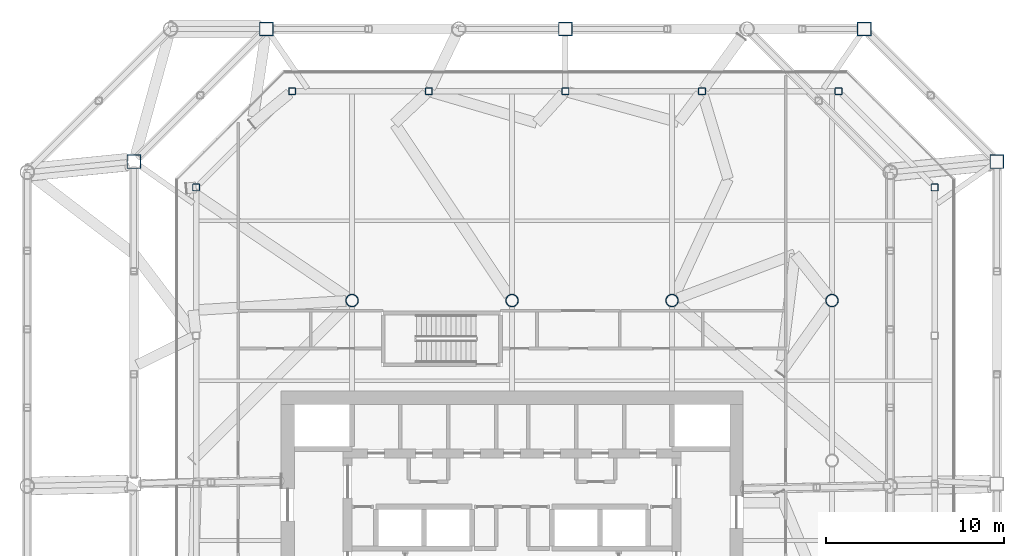
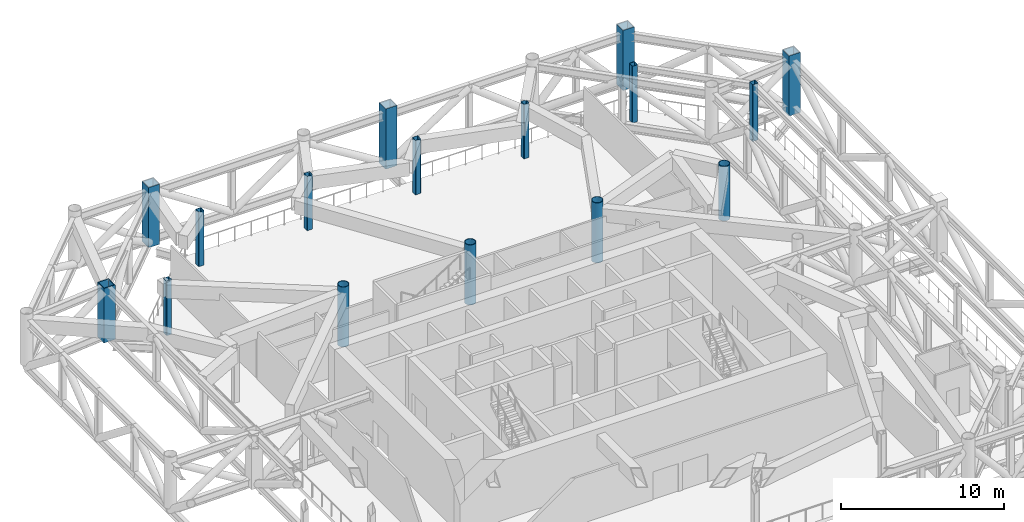
# One storey, part 2 of 21: 16 columns.
"""IFC4 building model written with IfcOpenShell, lengths in metres."""

import ifcopenshell
import ifcopenshell.guid

model = None  # the IFC model being written
_history = None  # IfcOwnerHistory: only IFC2X3 demands one
_inside = {}  # id of a spatial element -> (the spatial element, [elements in it])
_under = {}  # id of a project, library or spatial element -> (it, [spatial elements below it])
_declared = {}  # id of a project -> (the project, [libraries it declares])
_typed = {}  # id of a type object -> (the type object, [elements of that type])
_made_of = {}  # id of a material, layer set ... -> (it, [elements and type objects made of it])


def new_model(schema):
    """Start an empty IFC model of exactly this schema.

    Asked for "IFC4X3", IfcOpenShell would pick the latest addendum, in which some entities
    have other attributes; the version numbers below select the first issue.
    IFC2X3 requires an IfcOwnerHistory on every rooted entity: one is made here for all.
    """
    global model, _history
    if schema == "IFC4X3":
        model = ifcopenshell.file(schema_version=(4, 3, 0, 0))
    else:
        model = ifcopenshell.file(schema=schema)
    _inside.clear()
    _under.clear()
    _declared.clear()
    _typed.clear()
    _made_of.clear()
    _history = None
    if model.schema == "IFC2X3":
        org = make("IfcOrganization", Name="unknown")
        user = make(
            "IfcPersonAndOrganization",
            ThePerson=make("IfcPerson", FamilyName="unknown"),
            TheOrganization=org,
        )
        app = make(
            "IfcApplication",
            ApplicationDeveloper=org,
            Version="unknown",
            ApplicationFullName="unknown",
            ApplicationIdentifier="unknown",
        )
        _history = make(
            "IfcOwnerHistory",
            OwningUser=user,
            OwningApplication=app,
            ChangeAction="ADDED",
            CreationDate=0,
        )
    return model


def make(cls, **values):
    """One entity of the class cls with the attributes given. An attribute that is None is left unset."""
    return model.create_entity(
        cls, **{name: value for name, value in values.items() if value is not None}
    )


def rooted(cls, **values):
    """An entity with a GlobalId (a new one), such as an element, a storey or a relation."""
    return make(cls, GlobalId=ifcopenshell.guid.new(), OwnerHistory=_history, **values)


def si_unit(unit_type, name, prefix=None):
    """IfcSIUnit, for example si_unit("LENGTHUNIT", "METRE", prefix="MILLI")."""
    return make("IfcSIUnit", UnitType=unit_type, Prefix=prefix, Name=name)


def assignment(units):
    """IfcUnitAssignment: the units of a project."""
    return None if units is None else make("IfcUnitAssignment", Units=units)


def point(xyz):
    """IfcCartesianPoint."""
    return None if xyz is None else make("IfcCartesianPoint", Coordinates=xyz)


def direction(xyz):
    """IfcDirection."""
    return None if xyz is None else make("IfcDirection", DirectionRatios=xyz)


def frame(location, z_axis=None, x_axis=None):
    """IfcAxis2Placement3D, a coordinate frame: its origin and axes. An axis left out is left unset."""
    return make(
        "IfcAxis2Placement3D",
        Location=point(location),
        Axis=direction(z_axis),
        RefDirection=direction(x_axis),
    )


def frame_2d(location, x_axis=None):
    """IfcAxis2Placement2D, a coordinate frame in the plane: its origin and x axis."""
    return make(
        "IfcAxis2Placement2D", Location=point(location), RefDirection=direction(x_axis)
    )


def origin():
    """The frame at (0, 0, 0) with its axes left unset."""
    return frame((0.0, 0.0, 0.0))


def origin_2d():
    """The frame at (0, 0) in the plane with its x axis left unset."""
    return frame_2d((0.0, 0.0))


def place(relative_to, where):
    """IfcLocalPlacement: puts the frame where relative to a parent placement (None: the world)."""
    return make(
        "IfcLocalPlacement", PlacementRelTo=relative_to, RelativePlacement=where
    )


def context(
    kind, dimensions, precision=None, world=None, true_north=None, identifier=None
):
    """IfcGeometricRepresentationContext, for example the 3D "Model" context."""
    return make(
        "IfcGeometricRepresentationContext",
        ContextIdentifier=identifier,
        ContextType=kind,
        CoordinateSpaceDimension=dimensions,
        Precision=precision,
        WorldCoordinateSystem=world,
        TrueNorth=true_north,
    )


def subcontext(parent, identifier, kind, view, scale=None):
    """IfcGeometricRepresentationSubContext, for example "Body" below "Model"."""
    return make(
        "IfcGeometricRepresentationSubContext",
        ContextIdentifier=identifier,
        ContextType=kind,
        ParentContext=parent,
        TargetScale=scale,
        TargetView=view,
    )


def project(units=None, contexts=None):
    """IfcProject with its units and contexts."""
    return rooted(
        "IfcProject",
        Name="project",
        RepresentationContexts=contexts,
        UnitsInContext=assignment(units),
    )


def spatial(cls, under=None, at=None, **own):
    """A site, building, storey or space (cls), placed at a placement, below another one or the project."""
    s = rooted(cls, ObjectPlacement=at, **own)
    if under is not None:
        _under.setdefault(under.id(), (under, []))[1].append(s)
    return s


def profile(cls, at=None, kind="AREA", **sizes):
    """A parametric profile (cls). Its sizes go by their IFC names, for example OverallWidth=200.0."""
    return make(cls, ProfileType=kind, Position=at, **sizes)


def hollow_rectangle(**sizes):
    """IfcRectangleHollowProfileDef."""
    return profile("IfcRectangleHollowProfileDef", **sizes)


def hollow_circle(**sizes):
    """IfcCircleHollowProfileDef."""
    return profile("IfcCircleHollowProfileDef", **sizes)


def extrude(swept, where, along, depth):
    """IfcExtrudedAreaSolid: the profile swept, set in the frame where, extruded along a direction by depth."""
    return make(
        "IfcExtrudedAreaSolid",
        SweptArea=swept,
        Position=where,
        ExtrudedDirection=direction(along),
        Depth=depth,
    )


def shape(context_of_items, identifier, shape_type, items):
    """IfcShapeRepresentation: the items that make up one representation, for example the "Body"."""
    return make(
        "IfcShapeRepresentation",
        ContextOfItems=context_of_items,
        RepresentationIdentifier=identifier,
        RepresentationType=shape_type,
        Items=items,
    )


def material(Name=None, Category=None):
    """IfcMaterial."""
    return make("IfcMaterial", Name=Name, Category=Category)


def material_profile(
    of_material, cross_section, Name=None, Category=None, Priority=None
):
    """IfcMaterialProfile: a cross section and its material."""
    return make(
        "IfcMaterialProfile",
        Name=Name,
        Material=of_material,
        Profile=cross_section,
        Priority=Priority,
        Category=Category,
    )


def profile_set(profiles, Name=None, composite=None):
    """IfcMaterialProfileSet."""
    return make(
        "IfcMaterialProfileSet",
        Name=Name,
        MaterialProfiles=profiles,
        CompositeProfile=composite,
    )


def made_of(thing, what):
    """Note that an element or type object is made of a material, layer set ...; save() writes the relation."""
    if what is not None:
        _made_of.setdefault(what.id(), (what, []))[1].append(thing)
    return thing


def type_object(cls, material=None, **own):
    """A type object (cls), such as IfcWallType, which elements share."""
    return made_of(rooted(cls, **own), material)


def element(
    cls,
    number,
    at=None,
    inside=None,
    cuts=None,
    type_object=None,
    material=None,
    context=None,
    identifier="Body",
    shape_type=None,
    held_by="IfcProductDefinitionShape",
    body=None,
    shapes=None,
    **own,
):
    """One element of the class cls, such as IfcWall. Its Tag is "e" and its number.

    at: its placement. inside: the storey or other place that contains it. cuts: it is an
    opening in that element (IfcRelVoidsElement). A single representation is given by context,
    identifier, shape_type and body (its items); several are given by shapes. held_by: the class
    of the entity that holds the representations. save() writes the other relations.
    """
    e = rooted(cls, Tag="e%d" % number, ObjectPlacement=at, **own)
    if body is not None:
        shapes = [shape(context, identifier, shape_type, body)]
    if shapes is not None:
        e.Representation = make(held_by, Representations=shapes)
    if inside is not None:
        _inside.setdefault(inside.id(), (inside, []))[1].append(e)
    if cuts is not None:
        rooted(
            "IfcRelVoidsElement", RelatingBuildingElement=cuts, RelatedOpeningElement=e
        )
    if type_object is not None:
        _typed.setdefault(type_object.id(), (type_object, []))[1].append(e)
    return made_of(e, material)


def aggregate(whole, parts):
    """IfcRelAggregates: a whole, such as a stair, and the parts it consists of."""
    return rooted("IfcRelAggregates", RelatingObject=whole, RelatedObjects=parts)


def save(model, path):
    """Write the relations noted so far, then the file.

    IfcRelAggregates (storeys below a building ...), IfcRelContainedInSpatialStructure (elements
    in a storey), IfcRelDefinesByType, IfcRelAssociatesMaterial and IfcRelDeclares: one each for
    every whole, place, type object, material and project.
    """
    for whole, parts in _under.values():
        aggregate(whole, parts)
    for where, things in _inside.values():
        rooted(
            "IfcRelContainedInSpatialStructure",
            RelatedElements=things,
            RelatingStructure=where,
        )
    for kind, things in _typed.values():
        rooted("IfcRelDefinesByType", RelatedObjects=things, RelatingType=kind)
    for what, things in _made_of.values():
        rooted("IfcRelAssociatesMaterial", RelatedObjects=things, RelatingMaterial=what)
    for by, libraries in _declared.values():
        rooted("IfcRelDeclares", RelatingContext=by, RelatedDefinitions=libraries)
    model.write(path)


model = new_model("IFC4")

# Units and contexts
model_context = context("Model", 3, precision=1e-05, world=origin(), true_north=direction((0.0, 1.0)))
body_context = subcontext(model_context, "Body", "Model", "MODEL_VIEW")
ifc_project = project(units=[si_unit("LENGTHUNIT", "METRE"), si_unit("AREAUNIT", "SQUARE_METRE"), si_unit("VOLUMEUNIT", "CUBIC_METRE"), si_unit("PLANEANGLEUNIT", "RADIAN"), si_unit("MASSUNIT", "GRAM", prefix="KILO")], contexts=[model_context])

# Site, building, storey
site_placement = place(None, origin())
site = spatial("IfcSite", under=ifc_project, at=site_placement, CompositionType="ELEMENT")
building_placement = place(site_placement, origin())
building = spatial("IfcBuilding", under=site, at=building_placement, Name="Tskaro Facet Tower", CompositionType="ELEMENT")
storey_placement = place(building_placement, frame((0.0, 0.0, 167.699951171875)))
storey = spatial("IfcBuildingStorey", under=building, at=storey_placement, Name="L41", CompositionType="ELEMENT", Elevation=167.699951171875)

# Columns
ifc_material_1 = material(Name="Steel S460M", Category="steel")
ifc_material_profile_1 = material_profile(ifc_material_1, hollow_rectangle(XDim=0.800048828125, YDim=0.800048828125, WallThickness=0.050048828125, at=origin_2d()), Name="BOX 800x800x50")
ifc_profile_set_1 = profile_set([ifc_material_profile_1], Name="Steel S460M")
column_type_1 = type_object("IfcColumnType", Name="BOX 800x800x50 mega column", PredefinedType="COLUMN", material=ifc_profile_set_1)
for number, where, z_axis, x_axis, name in (
    (1, (27.27587890625, 16.819091796875, 0.0), (0.0, 0.0, 1.0), (1.0, 0.0, 0.0), "BOX 800x800x50 MC06/3T"),
    (2, (19.819091796875, 24.27587890625, 0.0), (0.0, 0.0, 1.0), (1.0, 0.0, 0.0), "BOX 800x800x50 MC07/3T"),
    (3, (3.0, 24.27587890625, 0.0), (0.0, 0.0, 1.0), (1.0, 0.0, 0.0), "BOX 800x800x50 MC08/3T"),
    (4, (-13.819091796875, 24.27587890625, 0.0), (0.0, 0.0, 1.0), (1.0, 0.0, 0.0), "BOX 800x800x50 MC09/3T"),
):
    element("IfcColumn", number, at=place(storey_placement, frame(where, z_axis=z_axis, x_axis=x_axis)), inside=storey, type_object=column_type_1, Name=name, PredefinedType="COLUMN", context=body_context, shape_type="SweptSolid", body=[
        extrude(hollow_rectangle(XDim=0.800048828125, YDim=0.800048828125, WallThickness=0.050048828125, at=origin_2d()), origin(), (0.0, 0.0, 1.0), 4.5),
    ])
column_1_placement = place(storey_placement, frame((-21.27587890625, 16.819091796875, 0.0), z_axis=(0.0, 0.0, 1.0), x_axis=(1.0, 0.0, 0.0)))
element("IfcColumn", 5, at=column_1_placement, inside=storey, type_object=column_type_1, Name="BOX 800x800x50 MC10/3T", PredefinedType="COLUMN", context=body_context, shape_type="SweptSolid", body=[
    extrude(hollow_rectangle(XDim=0.800048828125, YDim=0.800048828125, WallThickness=0.050048828125, at=origin_2d()), origin(), (0.0, 0.0, 1.0), 4.080078125),
])
ifc_material_2 = material(Name="Steel S355J2H", Category="steel")
ifc_material_profile_2 = material_profile(ifc_material_2, hollow_circle(Radius=0.35546875, WallThickness=0.031982421875, at=origin_2d()), Name="CHS 711x32")
ifc_profile_set_2 = profile_set([ifc_material_profile_2], Name="Steel S355J2H")
column_type_2 = type_object("IfcColumnType", Name="CHS 711x32 interior column", PredefinedType="COLUMN", material=ifc_profile_set_2)
for number, where, z_axis, x_axis, name in (
    (6, (-9.0, 9.0, 0.0), (0.0, 0.0, 1.0), (1.0, 0.0, 0.0), "CHS 711x32 C3E/3"),
    (7, (0.0, 9.0, 0.0), (0.0, 0.0, 1.0), (1.0, 0.0, 0.0), "CHS 711x32 C4E/3"),
    (8, (9.0, 9.0, 0.0), (0.0, 0.0, 1.0), (1.0, 0.0, 0.0), "CHS 711x32 C5E/3"),
):
    element("IfcColumn", number, at=place(storey_placement, frame(where, z_axis=z_axis, x_axis=x_axis)), inside=storey, type_object=column_type_2, Name=name, PredefinedType="COLUMN", context=body_context, shape_type="SweptSolid", body=[
        extrude(hollow_circle(Radius=0.35546875, WallThickness=0.031982421875, at=origin_2d()), origin(), (0.0, 0.0, 1.0), 4.5),
    ])
column_2_placement = place(storey_placement, frame((18.0, 9.0, 0.0), z_axis=(0.0, 0.0, 1.0), x_axis=(1.0, 0.0, 0.0)))
element("IfcColumn", 9, at=column_2_placement, inside=storey, type_object=column_type_2, Name="CHS 711x32 C6E/3", PredefinedType="COLUMN", context=body_context, shape_type="SweptSolid", body=[
    extrude(hollow_circle(Radius=0.35546875, WallThickness=0.031982421875, at=origin_2d()), origin(), (0.0, 0.0, 1.0), 4.080078125),
])
ifc_material_profile_3 = material_profile(ifc_material_2, hollow_rectangle(XDim=0.39990234375, YDim=0.39990234375, WallThickness=0.02001953125, InnerFilletRadius=0.030029296875, OuterFilletRadius=0.050048828125, at=origin_2d()), Name="SHS 400x400x20")
ifc_profile_set_3 = profile_set([ifc_material_profile_3], Name="Steel S355J2H")
column_type_3 = type_object("IfcColumnType", Name="SHS 400x400x20 ring column", PredefinedType="COLUMN", material=ifc_profile_set_3)
for number, where, z_axis, x_axis, name in (
    (10, (23.77392578125, 15.367919921875, 0.0), (0.0, 0.0, 1.0), (1.0, 0.0, 0.0), "SHS 400x400x20 RNE-1/3"),
    (11, (18.367919921875, 20.77392578125, 0.0), (0.0, 0.0, 1.0), (1.0, 0.0, 0.0), "SHS 400x400x20 RN-1/3"),
):
    element("IfcColumn", number, at=place(storey_placement, frame(where, z_axis=z_axis, x_axis=x_axis)), inside=storey, type_object=column_type_3, Name=name, PredefinedType="COLUMN", context=body_context, shape_type="SweptSolid", body=[
        extrude(hollow_rectangle(XDim=0.39990234375, YDim=0.39990234375, WallThickness=0.02001953125, InnerFilletRadius=0.030029296875, OuterFilletRadius=0.050048828125, at=origin_2d()), origin(), (0.0, 0.0, 1.0), 4.25),
    ])
for number, where, z_axis, x_axis, name in (
    (12, (10.68408203125, 20.77392578125, 0.0), (0.0, 0.0, 1.0), (1.0, 0.0, 0.0), "SHS 400x400x20 RN-2/3"),
    (13, (3.0, 20.77392578125, 0.0), (0.0, 0.0, 1.0), (1.0, 0.0, 0.0), "SHS 400x400x20 RN-3/3"),
    (14, (-4.68408203125, 20.77392578125, 0.0), (0.0, 0.0, 1.0), (1.0, 0.0, 0.0), "SHS 400x400x20 RN-4/3"),
    (15, (-12.367919921875, 20.77392578125, 0.0), (0.0, 0.0, 1.0), (1.0, 0.0, 0.0), "SHS 400x400x20 RNW-1/3"),
    (16, (-17.77392578125, 15.367919921875, 0.0), (0.0, 0.0, 1.0), (1.0, 0.0, 0.0), "SHS 400x400x20 RW-1/3"),
):
    element("IfcColumn", number, at=place(storey_placement, frame(where, z_axis=z_axis, x_axis=x_axis)), inside=storey, type_object=column_type_3, Name=name, PredefinedType="COLUMN", context=body_context, shape_type="SweptSolid", body=[
        extrude(hollow_rectangle(XDim=0.39990234375, YDim=0.39990234375, WallThickness=0.02001953125, InnerFilletRadius=0.030029296875, OuterFilletRadius=0.050048828125, at=origin_2d()), origin(), (0.0, 0.0, 1.0), 4.080078125),
    ])

save(model, "model.ifc")
